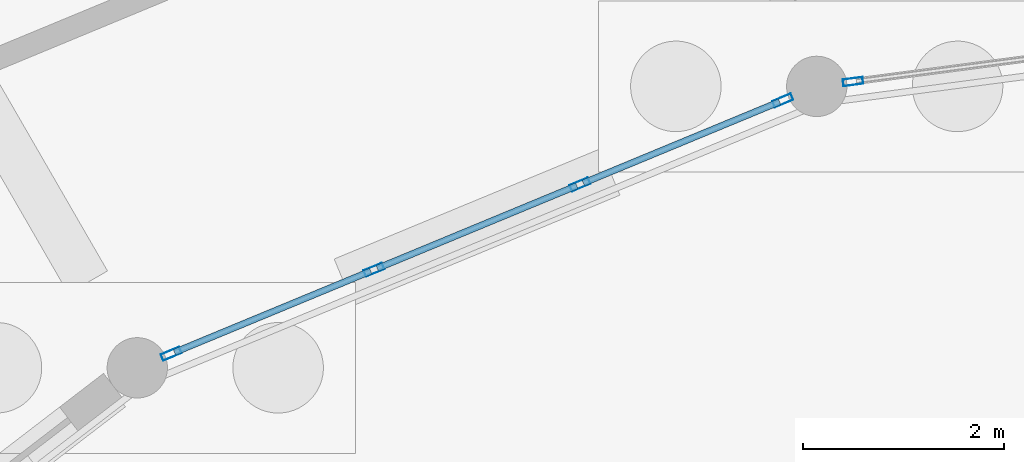
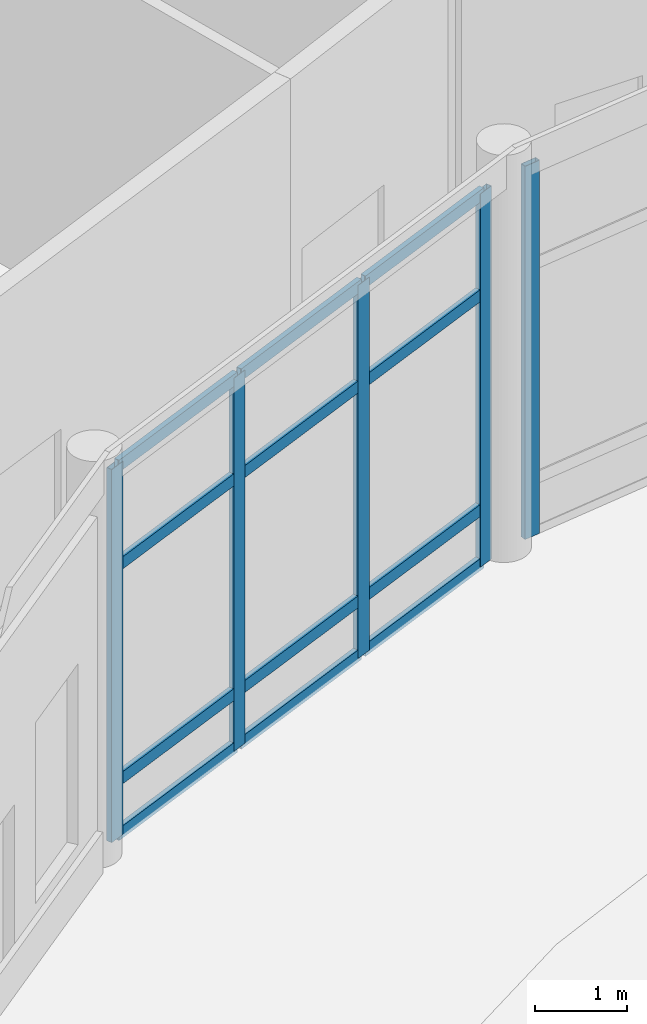
# One storey, part 57 of 137: 17 members, 2 elements without a shape of their own.
"""IFC4 building model written with IfcOpenShell, lengths in metres."""

from ifc_helpers import new_model, si_unit, direction, frame, origin, origin_2d, place, context, subcontext, project, spatial, hollow_rectangle, extrude, material, material_profile, profile_set, type_object, element, aggregate, save


model = new_model("IFC4")

# Units and contexts
model_context = context("Model", 3, precision=1e-05, world=origin(), true_north=direction((0.0, 1.0)))
body_context = subcontext(model_context, "Body", "Model", "MODEL_VIEW")
ifc_project = project(units=[si_unit("LENGTHUNIT", "METRE"), si_unit("AREAUNIT", "SQUARE_METRE"), si_unit("VOLUMEUNIT", "CUBIC_METRE"), si_unit("PLANEANGLEUNIT", "RADIAN"), si_unit("MASSUNIT", "GRAM", prefix="KILO")], contexts=[model_context])

# Site, building, storey
site_placement = place(None, origin())
site = spatial("IfcSite", under=ifc_project, at=site_placement, CompositionType="ELEMENT")
building_placement = place(site_placement, origin())
building = spatial("IfcBuilding", under=site, at=building_placement, Name="Vondelvale Polytechnic", CompositionType="ELEMENT")
storey_placement = place(building_placement, origin())
storey = spatial("IfcBuildingStorey", under=building, at=storey_placement, Name="L00", CompositionType="ELEMENT", Elevation=0.0)

# Curtain wall, member
ifc_material = material(Name="Anodised extruded aluminium 6063-T6", Category="aluminium")
curtain_wall_type = type_object("IfcCurtainWallType", Name="CW-RING-CLOISTER", PredefinedType="NOTDEFINED", material=ifc_material)
curtain_wall_1_placement = place(storey_placement, origin())
curtain_wall_1 = element("IfcCurtainWall", 1, at=curtain_wall_1_placement, inside=storey, type_object=curtain_wall_type, Name="L00 architectural curtain wall CW-03-151", PredefinedType="NOTDEFINED")
ifc_material_profile_1 = material_profile(ifc_material, hollow_rectangle(XDim=0.070068359375, YDim=0.199951171875, WallThickness=0.00390625, at=origin_2d()), Name="CW-MUL-200x70")
ifc_profile_set_1 = profile_set([ifc_material_profile_1], Name="Anodised extruded aluminium 6063-T6")
member_type_1 = type_object("IfcMemberType", Name="CW-MUL-70x200", PredefinedType="MULLION", material=ifc_profile_set_1)
member_1_placement = place(storey_placement, frame((95.113525390625, 99.09326171875, 0.0), z_axis=(0.0, 0.0, 1.0), x_axis=(0.130528007165, -0.99144462243, 0.0)))
member_1 = element("IfcMember", 2, at=member_1_placement, type_object=member_type_1, Name="CW-03-151 mullion 4", PredefinedType="MULLION", context=body_context, shape_type="SweptSolid", body=[
    extrude(hollow_rectangle(XDim=0.070068359375, YDim=0.199951171875, WallThickness=0.00390625, at=origin_2d()), origin(), (0.0, 0.0, 1.0), 4.949951171875),
])
aggregate(curtain_wall_1, [member_1])

# Curtain wall, members
curtain_wall_2_placement = place(storey_placement, origin())
curtain_wall_2 = element("IfcCurtainWall", 3, at=curtain_wall_2_placement, inside=storey, type_object=curtain_wall_type, Name="L00 architectural curtain wall CW-03-171", PredefinedType="NOTDEFINED")
member_2_placement = place(storey_placement, frame((94.415771484375, 98.90625, 0.0), z_axis=(0.0, 0.0, 1.0), x_axis=(0.382678531697, -0.923881562419, 0.0)))
member_2 = element("IfcMember", 4, at=member_2_placement, type_object=member_type_1, Name="CW-03-171 mullion 1", PredefinedType="MULLION", context=body_context, shape_type="SweptSolid", body=[
    extrude(hollow_rectangle(XDim=0.070068359375, YDim=0.199951171875, WallThickness=0.00390625, at=origin_2d()), origin(), (0.0, 0.0, 1.0), 4.949951171875),
])
member_3_placement = place(storey_placement, frame((92.400390625, 98.0712890625, 0.0), z_axis=(0.0, 0.0, 1.0), x_axis=(0.382678531697, -0.923881562419, 0.0)))
member_3 = element("IfcMember", 5, at=member_3_placement, type_object=member_type_1, Name="CW-03-171 mullion 2", PredefinedType="MULLION", context=body_context, shape_type="SweptSolid", body=[
    extrude(hollow_rectangle(XDim=0.070068359375, YDim=0.199951171875, WallThickness=0.00390625, at=origin_2d()), origin(), (0.0, 0.0, 1.0), 4.949951171875),
])
member_4_placement = place(storey_placement, frame((90.352783203125, 97.22314453125, 0.0), z_axis=(0.0, 0.0, 1.0), x_axis=(0.382678531697, -0.923881562419, 0.0)))
member_4 = element("IfcMember", 6, at=member_4_placement, type_object=member_type_1, Name="CW-03-171 mullion 3", PredefinedType="MULLION", context=body_context, shape_type="SweptSolid", body=[
    extrude(hollow_rectangle(XDim=0.070068359375, YDim=0.199951171875, WallThickness=0.00390625, at=origin_2d()), origin(), (0.0, 0.0, 1.0), 4.949951171875),
])
member_5_placement = place(storey_placement, frame((88.337158203125, 96.388427734375, 0.0), z_axis=(0.0, 0.0, 1.0), x_axis=(0.382678531697, -0.923881562419, 0.0)))
member_5 = element("IfcMember", 7, at=member_5_placement, type_object=member_type_1, Name="CW-03-171 mullion 4", PredefinedType="MULLION", context=body_context, shape_type="SweptSolid", body=[
    extrude(hollow_rectangle(XDim=0.070068359375, YDim=0.199951171875, WallThickness=0.00390625, at=origin_2d()), origin(), (0.0, 0.0, 1.0), 4.949951171875),
])
ifc_material_profile_2 = material_profile(ifc_material, hollow_rectangle(XDim=0.06494140625, YDim=0.159912109375, WallThickness=0.00341796875, at=origin_2d()), Name="CW-TRN-160x65")
ifc_profile_set_2 = profile_set([ifc_material_profile_2], Name="Anodised extruded aluminium 6063-T6")
member_type_2 = type_object("IfcMemberType", Name="CW-TRN-70x160", PredefinedType="USERDEFINED", material=ifc_profile_set_2)
member_6_placement = place(storey_placement, frame((94.383544921875, 98.892822265625, 0.032470703125), z_axis=(-0.923861804277, -0.382726229306, 0.0), x_axis=(0.382726229306, -0.923861804277, 0.0)))
member_6 = element("IfcMember", 8, at=member_6_placement, type_object=member_type_2, Name="CW-03-171 transom 1.1", ObjectType="TRANSOM", PredefinedType="USERDEFINED", context=body_context, shape_type="SweptSolid", body=[
    extrude(hollow_rectangle(XDim=0.06494140625, YDim=0.159912109375, WallThickness=0.00341796875, at=origin_2d()), origin(), (0.0, 0.0, 1.0), 2.111328125),
])
member_7_placement = place(storey_placement, frame((94.383544921875, 98.892822265625, 0.75), z_axis=(-0.923861804277, -0.382726229306, 0.0), x_axis=(0.382726229306, -0.923861804277, 0.0)))
member_7 = element("IfcMember", 9, at=member_7_placement, type_object=member_type_2, Name="CW-03-171 transom 1.2", ObjectType="TRANSOM", PredefinedType="USERDEFINED", context=body_context, shape_type="SweptSolid", body=[
    extrude(hollow_rectangle(XDim=0.06494140625, YDim=0.159912109375, WallThickness=0.00341796875, at=origin_2d()), origin(), (0.0, 0.0, 1.0), 2.111328125),
])
member_8_placement = place(storey_placement, frame((94.383544921875, 98.892822265625, 3.60009765625), z_axis=(-0.923861804277, -0.382726229306, 0.0), x_axis=(0.382726229306, -0.923861804277, 0.0)))
member_8 = element("IfcMember", 10, at=member_8_placement, type_object=member_type_2, Name="CW-03-171 transom 1.3", ObjectType="TRANSOM", PredefinedType="USERDEFINED", context=body_context, shape_type="SweptSolid", body=[
    extrude(hollow_rectangle(XDim=0.06494140625, YDim=0.159912109375, WallThickness=0.00341796875, at=origin_2d()), origin(), (0.0, 0.0, 1.0), 2.111328125),
])
member_9_placement = place(storey_placement, frame((94.383544921875, 98.892822265625, 4.91748046875), z_axis=(-0.923861804277, -0.382726229306, 0.0), x_axis=(0.382726229306, -0.923861804277, 0.0)))
member_9 = element("IfcMember", 11, at=member_9_placement, type_object=member_type_2, Name="CW-03-171 transom 1.4", ObjectType="TRANSOM", PredefinedType="USERDEFINED", context=body_context, shape_type="SweptSolid", body=[
    extrude(hollow_rectangle(XDim=0.06494140625, YDim=0.159912109375, WallThickness=0.00341796875, at=origin_2d()), origin(), (0.0, 0.0, 1.0), 2.111328125),
])
member_10_placement = place(storey_placement, frame((92.3681640625, 98.05810546875, 0.032470703125), z_axis=(-0.923865730094, -0.382716752649, 0.0), x_axis=(0.382716752649, -0.923865730094, 0.0)))
member_10 = element("IfcMember", 12, at=member_10_placement, type_object=member_type_2, Name="CW-03-171 transom 2.1", ObjectType="TRANSOM", PredefinedType="USERDEFINED", context=body_context, shape_type="SweptSolid", body=[
    extrude(hollow_rectangle(XDim=0.06494140625, YDim=0.159912109375, WallThickness=0.00341796875, at=origin_2d()), origin(), (0.0, 0.0, 1.0), 2.146484375),
])
member_11_placement = place(storey_placement, frame((92.3681640625, 98.05810546875, 0.75), z_axis=(-0.923865730094, -0.382716752649, 0.0), x_axis=(0.382716752649, -0.923865730094, 0.0)))
member_11 = element("IfcMember", 13, at=member_11_placement, type_object=member_type_2, Name="CW-03-171 transom 2.2", ObjectType="TRANSOM", PredefinedType="USERDEFINED", context=body_context, shape_type="SweptSolid", body=[
    extrude(hollow_rectangle(XDim=0.06494140625, YDim=0.159912109375, WallThickness=0.00341796875, at=origin_2d()), origin(), (0.0, 0.0, 1.0), 2.146484375),
])
member_12_placement = place(storey_placement, frame((92.3681640625, 98.05810546875, 3.60009765625), z_axis=(-0.923865730094, -0.382716752649, 0.0), x_axis=(0.382716752649, -0.923865730094, 0.0)))
member_12 = element("IfcMember", 14, at=member_12_placement, type_object=member_type_2, Name="CW-03-171 transom 2.3", ObjectType="TRANSOM", PredefinedType="USERDEFINED", context=body_context, shape_type="SweptSolid", body=[
    extrude(hollow_rectangle(XDim=0.06494140625, YDim=0.159912109375, WallThickness=0.00341796875, at=origin_2d()), origin(), (0.0, 0.0, 1.0), 2.146484375),
])
member_13_placement = place(storey_placement, frame((92.3681640625, 98.05810546875, 4.91748046875), z_axis=(-0.923865730094, -0.382716752649, 0.0), x_axis=(0.382716752649, -0.923865730094, 0.0)))
member_13 = element("IfcMember", 15, at=member_13_placement, type_object=member_type_2, Name="CW-03-171 transom 2.4", ObjectType="TRANSOM", PredefinedType="USERDEFINED", context=body_context, shape_type="SweptSolid", body=[
    extrude(hollow_rectangle(XDim=0.06494140625, YDim=0.159912109375, WallThickness=0.00341796875, at=origin_2d()), origin(), (0.0, 0.0, 1.0), 2.146484375),
])
member_14_placement = place(storey_placement, frame((90.3203125, 97.209716796875, 0.032470703125), z_axis=(-0.923902685011, -0.382627532503, 0.0), x_axis=(0.382627532503, -0.923902685011, 0.0)))
member_14 = element("IfcMember", 16, at=member_14_placement, type_object=member_type_2, Name="CW-03-171 transom 3.1", ObjectType="TRANSOM", PredefinedType="USERDEFINED", context=body_context, shape_type="SweptSolid", body=[
    extrude(hollow_rectangle(XDim=0.06494140625, YDim=0.159912109375, WallThickness=0.00341796875, at=origin_2d()), origin(), (0.0, 0.0, 1.0), 2.111328125),
])
member_15_placement = place(storey_placement, frame((90.3203125, 97.209716796875, 0.75), z_axis=(-0.923902685011, -0.382627532503, 0.0), x_axis=(0.382627532503, -0.923902685011, 0.0)))
member_15 = element("IfcMember", 17, at=member_15_placement, type_object=member_type_2, Name="CW-03-171 transom 3.2", ObjectType="TRANSOM", PredefinedType="USERDEFINED", context=body_context, shape_type="SweptSolid", body=[
    extrude(hollow_rectangle(XDim=0.06494140625, YDim=0.159912109375, WallThickness=0.00341796875, at=origin_2d()), origin(), (0.0, 0.0, 1.0), 2.111328125),
])
member_16_placement = place(storey_placement, frame((90.3203125, 97.209716796875, 3.60009765625), z_axis=(-0.923902685011, -0.382627532503, 0.0), x_axis=(0.382627532503, -0.923902685011, 0.0)))
member_16 = element("IfcMember", 18, at=member_16_placement, type_object=member_type_2, Name="CW-03-171 transom 3.3", ObjectType="TRANSOM", PredefinedType="USERDEFINED", context=body_context, shape_type="SweptSolid", body=[
    extrude(hollow_rectangle(XDim=0.06494140625, YDim=0.159912109375, WallThickness=0.00341796875, at=origin_2d()), origin(), (0.0, 0.0, 1.0), 2.111328125),
])
member_17_placement = place(storey_placement, frame((90.3203125, 97.209716796875, 4.91748046875), z_axis=(-0.923902685011, -0.382627532503, 0.0), x_axis=(0.382627532503, -0.923902685011, 0.0)))
member_17 = element("IfcMember", 19, at=member_17_placement, type_object=member_type_2, Name="CW-03-171 transom 3.4", ObjectType="TRANSOM", PredefinedType="USERDEFINED", context=body_context, shape_type="SweptSolid", body=[
    extrude(hollow_rectangle(XDim=0.06494140625, YDim=0.159912109375, WallThickness=0.00341796875, at=origin_2d()), origin(), (0.0, 0.0, 1.0), 2.111328125),
])
aggregate(curtain_wall_2, [member_2, member_3, member_4, member_5, member_6, member_7, member_8, member_9, member_10, member_11, member_12, member_13, member_14, member_15, member_16, member_17])

save(model, "model.ifc")
